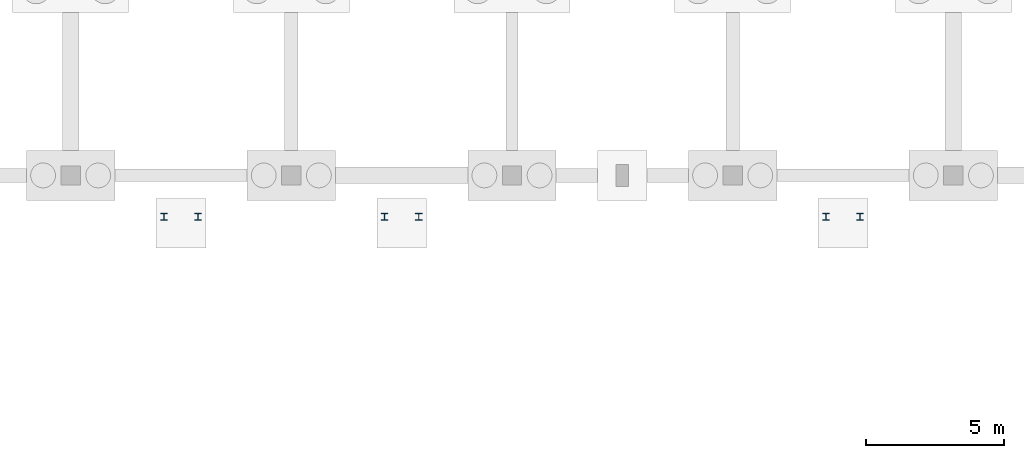
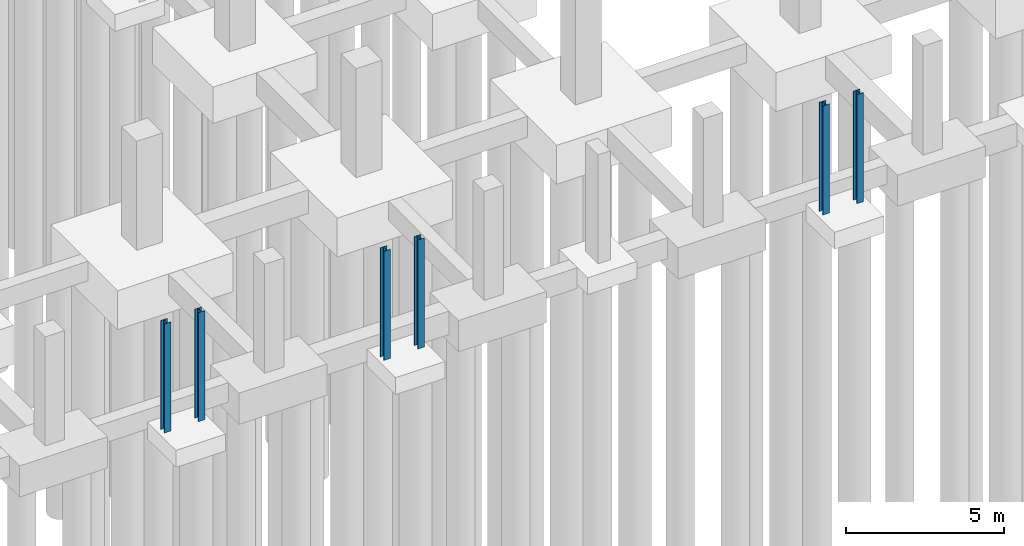
# One storey, part 16 of 32: 6 columns.
"""IFC4 building model written with IfcOpenShell, lengths in metres."""

from ifc_helpers import new_model, si_unit, direction, frame, origin, origin_2d, place, context, subcontext, project, spatial, i_section, extrude, material, material_profile, profile_set, type_object, element, save


model = new_model("IFC4")

# Units and contexts
model_context = context("Model", 3, precision=1e-05, world=origin(), true_north=direction((0.0, 1.0)))
body_context = subcontext(model_context, "Body", "Model", "MODEL_VIEW")
ifc_project = project(units=[si_unit("LENGTHUNIT", "METRE"), si_unit("AREAUNIT", "SQUARE_METRE"), si_unit("VOLUMEUNIT", "CUBIC_METRE"), si_unit("PLANEANGLEUNIT", "RADIAN"), si_unit("MASSUNIT", "GRAM", prefix="KILO")], contexts=[model_context])

# Site, building, storey
site_placement = place(None, origin())
site = spatial("IfcSite", under=ifc_project, at=site_placement, CompositionType="ELEMENT")
building_placement = place(site_placement, origin())
building = spatial("IfcBuilding", under=site, at=building_placement, Name="Tenunan Teduh Sports Hall", CompositionType="ELEMENT")
storey_placement = place(building_placement, frame((0.0, 0.0, -4.199951171875)))
storey = spatial("IfcBuildingStorey", under=building, at=storey_placement, Name="B1", CompositionType="ELEMENT", Elevation=-4.199951171875)

# Columns
ifc_material = material(Name="Steel S355", Category="steel")
ifc_material_profile = material_profile(ifc_material, i_section(OverallWidth=0.239990234375, OverallDepth=0.239990234375, WebThickness=0.010009765625, FlangeThickness=0.01708984375, FilletRadius=0.02099609375, at=origin_2d()), Name="HEB 240")
ifc_profile_set = profile_set([ifc_material_profile], Name="Steel S355")
column_type = type_object("IfcColumnType", Name="COL-ST-HEB240", PredefinedType="COLUMN", material=ifc_profile_set)
for number, where, z_axis, x_axis, name in (
    (1, (133.3798828125, 36.5, 0.0), (0.0, 0.0, 1.0), (1.0, 0.0, 0.0), "COL-SC-04-FST-1-1-B1"),
    (2, (134.6201171875, 36.5, 0.0), (0.0, 0.0, 1.0), (1.0, 0.0, 0.0), "COL-SC-04-FST-1-2-B1"),
    (3, (141.3798828125, 36.5, 0.0), (0.0, 0.0, 1.0), (1.0, 0.0, 0.0), "COL-SC-04-FST-2-1-B1"),
    (4, (142.6201171875, 36.5, 0.0), (0.0, 0.0, 1.0), (1.0, 0.0, 0.0), "COL-SC-04-FST-2-2-B1"),
    (5, (157.3798828125, 36.5, 0.0), (0.0, 0.0, 1.0), (1.0, 0.0, 0.0), "COL-SC-04-FST-3-1-B1"),
    (6, (158.6201171875, 36.5, 0.0), (0.0, 0.0, 1.0), (1.0, 0.0, 0.0), "COL-SC-04-FST-3-2-B1"),
):
    element("IfcColumn", number, at=place(storey_placement, frame(where, z_axis=z_axis, x_axis=x_axis)), inside=storey, type_object=column_type, Name=name, PredefinedType="COLUMN", context=body_context, shape_type="SweptSolid", body=[
        extrude(i_section(OverallWidth=0.239990234375, OverallDepth=0.239990234375, WebThickness=0.010009765625, FlangeThickness=0.01708984375, FilletRadius=0.02099609375, at=origin_2d()), origin(), (0.0, 0.0, 1.0), 4.199951171875),
    ])

save(model, "model.ifc")
